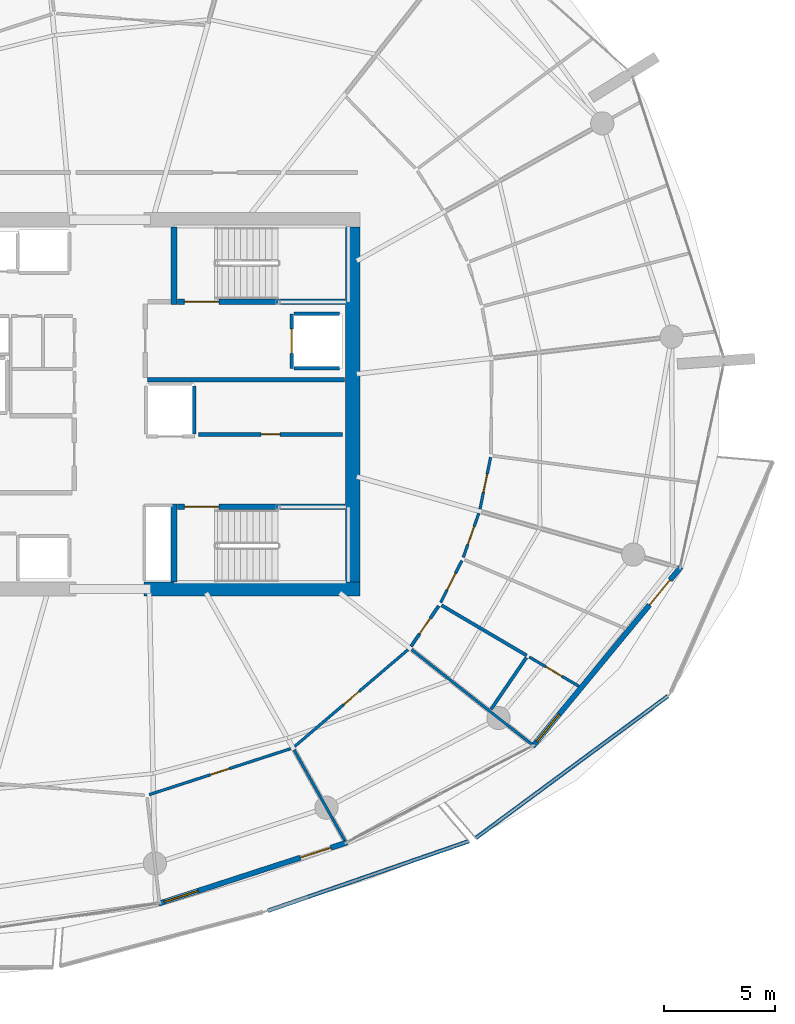
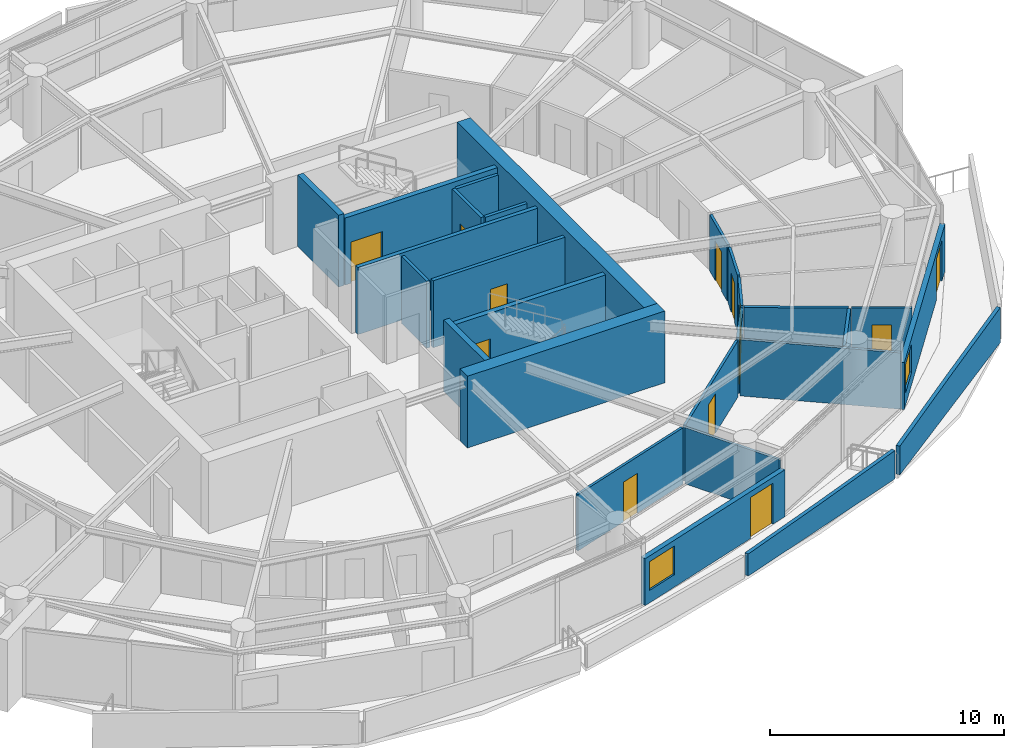
# One storey, part 13 of 20: 27 walls, 13 doors, 2 windows, 15 openings.
"""IFC4 building model written with IfcOpenShell, lengths in metres."""

import ifcopenshell
import ifcopenshell.guid

model = None  # the IFC model being written
_history = None  # IfcOwnerHistory: only IFC2X3 demands one
_inside = {}  # id of a spatial element -> (the spatial element, [elements in it])
_under = {}  # id of a project, library or spatial element -> (it, [spatial elements below it])
_declared = {}  # id of a project -> (the project, [libraries it declares])
_typed = {}  # id of a type object -> (the type object, [elements of that type])
_made_of = {}  # id of a material, layer set ... -> (it, [elements and type objects made of it])


def new_model(schema):
    """Start an empty IFC model of exactly this schema.

    Asked for "IFC4X3", IfcOpenShell would pick the latest addendum, in which some entities
    have other attributes; the version numbers below select the first issue.
    IFC2X3 requires an IfcOwnerHistory on every rooted entity: one is made here for all.
    """
    global model, _history
    if schema == "IFC4X3":
        model = ifcopenshell.file(schema_version=(4, 3, 0, 0))
    else:
        model = ifcopenshell.file(schema=schema)
    _inside.clear()
    _under.clear()
    _declared.clear()
    _typed.clear()
    _made_of.clear()
    _history = None
    if model.schema == "IFC2X3":
        org = make("IfcOrganization", Name="unknown")
        user = make(
            "IfcPersonAndOrganization",
            ThePerson=make("IfcPerson", FamilyName="unknown"),
            TheOrganization=org,
        )
        app = make(
            "IfcApplication",
            ApplicationDeveloper=org,
            Version="unknown",
            ApplicationFullName="unknown",
            ApplicationIdentifier="unknown",
        )
        _history = make(
            "IfcOwnerHistory",
            OwningUser=user,
            OwningApplication=app,
            ChangeAction="ADDED",
            CreationDate=0,
        )
    return model


def make(cls, **values):
    """One entity of the class cls with the attributes given. An attribute that is None is left unset."""
    return model.create_entity(
        cls, **{name: value for name, value in values.items() if value is not None}
    )


def rooted(cls, **values):
    """An entity with a GlobalId (a new one), such as an element, a storey or a relation."""
    return make(cls, GlobalId=ifcopenshell.guid.new(), OwnerHistory=_history, **values)


def si_unit(unit_type, name, prefix=None):
    """IfcSIUnit, for example si_unit("LENGTHUNIT", "METRE", prefix="MILLI")."""
    return make("IfcSIUnit", UnitType=unit_type, Prefix=prefix, Name=name)


def assignment(units):
    """IfcUnitAssignment: the units of a project."""
    return None if units is None else make("IfcUnitAssignment", Units=units)


def point(xyz):
    """IfcCartesianPoint."""
    return None if xyz is None else make("IfcCartesianPoint", Coordinates=xyz)


def direction(xyz):
    """IfcDirection."""
    return None if xyz is None else make("IfcDirection", DirectionRatios=xyz)


def frame(location, z_axis=None, x_axis=None):
    """IfcAxis2Placement3D, a coordinate frame: its origin and axes. An axis left out is left unset."""
    return make(
        "IfcAxis2Placement3D",
        Location=point(location),
        Axis=direction(z_axis),
        RefDirection=direction(x_axis),
    )


def frame_2d(location, x_axis=None):
    """IfcAxis2Placement2D, a coordinate frame in the plane: its origin and x axis."""
    return make(
        "IfcAxis2Placement2D", Location=point(location), RefDirection=direction(x_axis)
    )


def origin():
    """The frame at (0, 0, 0) with its axes left unset."""
    return frame((0.0, 0.0, 0.0))


def place(relative_to, where):
    """IfcLocalPlacement: puts the frame where relative to a parent placement (None: the world)."""
    return make(
        "IfcLocalPlacement", PlacementRelTo=relative_to, RelativePlacement=where
    )


def context(
    kind, dimensions, precision=None, world=None, true_north=None, identifier=None
):
    """IfcGeometricRepresentationContext, for example the 3D "Model" context."""
    return make(
        "IfcGeometricRepresentationContext",
        ContextIdentifier=identifier,
        ContextType=kind,
        CoordinateSpaceDimension=dimensions,
        Precision=precision,
        WorldCoordinateSystem=world,
        TrueNorth=true_north,
    )


def subcontext(parent, identifier, kind, view, scale=None):
    """IfcGeometricRepresentationSubContext, for example "Body" below "Model"."""
    return make(
        "IfcGeometricRepresentationSubContext",
        ContextIdentifier=identifier,
        ContextType=kind,
        ParentContext=parent,
        TargetScale=scale,
        TargetView=view,
    )


def project(units=None, contexts=None):
    """IfcProject with its units and contexts."""
    return rooted(
        "IfcProject",
        Name="project",
        RepresentationContexts=contexts,
        UnitsInContext=assignment(units),
    )


def spatial(cls, under=None, at=None, **own):
    """A site, building, storey or space (cls), placed at a placement, below another one or the project."""
    s = rooted(cls, ObjectPlacement=at, **own)
    if under is not None:
        _under.setdefault(under.id(), (under, []))[1].append(s)
    return s


def polyline(points):
    """IfcPolyline through the points."""
    return make("IfcPolyline", Points=[point(p) for p in points])


def profile(cls, at=None, kind="AREA", **sizes):
    """A parametric profile (cls). Its sizes go by their IFC names, for example OverallWidth=200.0."""
    return make(cls, ProfileType=kind, Position=at, **sizes)


def rectangle(**sizes):
    """IfcRectangleProfileDef."""
    return profile("IfcRectangleProfileDef", **sizes)


def outline(outer, holes=None, kind="AREA"):
    """IfcArbitraryClosedProfileDef: a profile drawn as a closed curve; with holes, ...WithVoids."""
    if holes is None:
        return make("IfcArbitraryClosedProfileDef", ProfileType=kind, OuterCurve=outer)
    return make(
        "IfcArbitraryProfileDefWithVoids",
        ProfileType=kind,
        OuterCurve=outer,
        InnerCurves=holes,
    )


def extrude(swept, where, along, depth):
    """IfcExtrudedAreaSolid: the profile swept, set in the frame where, extruded along a direction by depth."""
    return make(
        "IfcExtrudedAreaSolid",
        SweptArea=swept,
        Position=where,
        ExtrudedDirection=direction(along),
        Depth=depth,
    )


def shape(context_of_items, identifier, shape_type, items):
    """IfcShapeRepresentation: the items that make up one representation, for example the "Body"."""
    return make(
        "IfcShapeRepresentation",
        ContextOfItems=context_of_items,
        RepresentationIdentifier=identifier,
        RepresentationType=shape_type,
        Items=items,
    )


def material(Name=None, Category=None):
    """IfcMaterial."""
    return make("IfcMaterial", Name=Name, Category=Category)


def layer(
    of_material, thickness, ventilated=None, Name=None, Category=None, Priority=None
):
    """IfcMaterialLayer: one layer of a wall or slab, of a material (None: an air gap)."""
    return make(
        "IfcMaterialLayer",
        Material=of_material,
        LayerThickness=thickness,
        IsVentilated=ventilated,
        Name=Name,
        Category=Category,
        Priority=Priority,
    )


def layer_set(layers, Name=None):
    """IfcMaterialLayerSet."""
    return make("IfcMaterialLayerSet", MaterialLayers=layers, LayerSetName=Name)


def made_of(thing, what):
    """Note that an element or type object is made of a material, layer set ...; save() writes the relation."""
    if what is not None:
        _made_of.setdefault(what.id(), (what, []))[1].append(thing)
    return thing


def type_object(cls, material=None, **own):
    """A type object (cls), such as IfcWallType, which elements share."""
    return made_of(rooted(cls, **own), material)


def element(
    cls,
    number,
    at=None,
    inside=None,
    cuts=None,
    type_object=None,
    material=None,
    context=None,
    identifier="Body",
    shape_type=None,
    held_by="IfcProductDefinitionShape",
    body=None,
    shapes=None,
    **own,
):
    """One element of the class cls, such as IfcWall. Its Tag is "e" and its number.

    at: its placement. inside: the storey or other place that contains it. cuts: it is an
    opening in that element (IfcRelVoidsElement). A single representation is given by context,
    identifier, shape_type and body (its items); several are given by shapes. held_by: the class
    of the entity that holds the representations. save() writes the other relations.
    """
    e = rooted(cls, Tag="e%d" % number, ObjectPlacement=at, **own)
    if body is not None:
        shapes = [shape(context, identifier, shape_type, body)]
    if shapes is not None:
        e.Representation = make(held_by, Representations=shapes)
    if inside is not None:
        _inside.setdefault(inside.id(), (inside, []))[1].append(e)
    if cuts is not None:
        rooted(
            "IfcRelVoidsElement", RelatingBuildingElement=cuts, RelatedOpeningElement=e
        )
    if type_object is not None:
        _typed.setdefault(type_object.id(), (type_object, []))[1].append(e)
    return made_of(e, material)


def fill(opening, filler):
    """IfcRelFillsElement: the door or window that sits in an opening."""
    return rooted(
        "IfcRelFillsElement",
        RelatingOpeningElement=opening,
        RelatedBuildingElement=filler,
    )


def aggregate(whole, parts):
    """IfcRelAggregates: a whole, such as a stair, and the parts it consists of."""
    return rooted("IfcRelAggregates", RelatingObject=whole, RelatedObjects=parts)


def save(model, path):
    """Write the relations noted so far, then the file.

    IfcRelAggregates (storeys below a building ...), IfcRelContainedInSpatialStructure (elements
    in a storey), IfcRelDefinesByType, IfcRelAssociatesMaterial and IfcRelDeclares: one each for
    every whole, place, type object, material and project.
    """
    for whole, parts in _under.values():
        aggregate(whole, parts)
    for where, things in _inside.values():
        rooted(
            "IfcRelContainedInSpatialStructure",
            RelatedElements=things,
            RelatingStructure=where,
        )
    for kind, things in _typed.values():
        rooted("IfcRelDefinesByType", RelatedObjects=things, RelatingType=kind)
    for what, things in _made_of.values():
        rooted("IfcRelAssociatesMaterial", RelatedObjects=things, RelatingMaterial=what)
    for by, libraries in _declared.values():
        rooted("IfcRelDeclares", RelatingContext=by, RelatedDefinitions=libraries)
    model.write(path)


model = new_model("IFC4")

# Units and contexts
model_context = context("Model", 3, precision=1e-05, world=origin(), true_north=direction((0.0, 1.0)))
body_context = subcontext(model_context, "Body", "Model", "MODEL_VIEW")
ifc_project = project(units=[si_unit("LENGTHUNIT", "METRE"), si_unit("AREAUNIT", "SQUARE_METRE"), si_unit("VOLUMEUNIT", "CUBIC_METRE"), si_unit("PLANEANGLEUNIT", "RADIAN"), si_unit("MASSUNIT", "GRAM", prefix="KILO")], contexts=[model_context])

# Site, building, storey
site_placement = place(None, origin())
site = spatial("IfcSite", under=ifc_project, at=site_placement, CompositionType="ELEMENT")
building_placement = place(site_placement, origin())
building = spatial("IfcBuilding", under=site, at=building_placement, Name="Kazma Halo Residences", CompositionType="ELEMENT")
storey_placement = place(building_placement, frame((0.0, 0.0, 214.050048828125)))
storey = spatial("IfcBuildingStorey", under=building, at=storey_placement, Name="L54", CompositionType="ELEMENT", Elevation=214.050048828125)

# Walls
ifc_material_1 = material(Name="White Concrete C50/60 Balustrade", Category="concrete")
ifc_layer_1 = layer(ifc_material_1, 0.179931640625)
ifc_layer_set_1 = layer_set([ifc_layer_1], Name="White Concrete C50/60 Balustrade")
wall_type_1 = type_object("IfcWallType", Name="WL-BAL-WAVE-180", PredefinedType="PARAPET", material=ifc_layer_set_1)
wall_1_placement = place(storey_placement, frame((55.546630859375, 19.162353515625, 0.0), z_axis=(0.0, 0.0, 1.0), x_axis=(0.944943422405, 0.327233752007, 0.0)))
element("IfcWall", 1, at=wall_1_placement, inside=storey, type_object=wall_type_1, Name="L54 white wave balustrade wall SSE.2", PredefinedType="PARAPET", context=body_context, shape_type="SweptSolid", body=[
    extrude(outline(polyline([(0.0, 0.0), (9.597412109375, 0.0), (9.59765625, 1.48291015625), (4.798828125, 1.283935546875), (0.0, 1.14794921875), (0.0, 0.0)])), frame((0.0, 0.08984375, 0.0), z_axis=(0.0, -1.0, 0.0), x_axis=(1.0, 0.0, 0.0)), (0.0, 0.0, 1.0), 0.179931640625),
])
wall_2_placement = place(storey_placement, frame((64.914306640625, 22.439208984375, 0.0), z_axis=(0.0, 0.0, 1.0), x_axis=(0.804266043661, 0.594269409454, 0.0)))
element("IfcWall", 2, at=wall_2_placement, inside=storey, type_object=wall_type_1, Name="L54 white wave balustrade wall SE.1", PredefinedType="PARAPET", context=body_context, shape_type="SweptSolid", body=[
    extrude(outline(polyline([(0.0, 0.0), (10.7783203125, 0.0), (10.7783203125, 1.83203125), (5.38916015625, 1.696044921875), (0.0, 1.4970703125), (0.0, 0.0)])), frame((0.0, 0.08984375, 0.0), z_axis=(0.0, -1.0, 0.0), x_axis=(1.0, 0.0, 0.0)), (0.0, 0.0, 1.0), 0.179931640625),
])
ifc_material_2 = material(Name="Concrete C60/75", Category="concrete")
ifc_layer_2 = layer(ifc_material_2, 0.64990234375)
ifc_layer_set_2 = layer_set([ifc_layer_2], Name="Concrete C60/75")
wall_type_2 = type_object("IfcWallType", Name="WL-CORE-650", PredefinedType="SHEAR", material=ifc_layer_set_2)
wall_3_placement = place(storey_placement, frame((49.949951171875, 33.675048828125, 0.0), z_axis=(0.0, 0.0, 1.0), x_axis=(1.0, 0.0, 0.0)))
element("IfcWall", 3, at=wall_3_placement, inside=storey, type_object=wall_type_2, Name="L54 central core shear wall SE", PredefinedType="SHEAR", context=body_context, shape_type="SweptSolid", body=[
    extrude(rectangle(XDim=9.75, YDim=0.64990234375, at=frame_2d((4.875, 0.0))), origin(), (0.0, 0.0, 1.0), 3.75),
])
wall_4_placement = place(storey_placement, frame((59.375, 34.0, 0.0), z_axis=(0.0, 0.0, 1.0), x_axis=(0.0, 1.0, 0.0)))
element("IfcWall", 4, at=wall_4_placement, inside=storey, type_object=wall_type_2, Name="L54 central core shear wall E", PredefinedType="SHEAR", context=body_context, shape_type="SweptSolid", body=[
    extrude(rectangle(XDim=16.0, YDim=0.64990234375, at=frame_2d((8.0, 0.0))), origin(), (0.0, 0.0, 1.0), 3.75),
])
ifc_layer_3 = layer(ifc_material_2, 0.280029296875)
ifc_layer_set_3 = layer_set([ifc_layer_3], Name="Concrete C60/75")
wall_type_3 = type_object("IfcWallType", Name="WL-CORE-ST-280", PredefinedType="SHEAR", material=ifc_layer_set_3)
for number, where, z_axis, x_axis, name in (
    (5, (51.31005859375, 46.5, 0.0), (0.0, 0.0, 1.0), (0.0, 1.0, 0.0), "L54 stairwell bearing wall ST02-W"),
    (6, (51.31005859375, 34.0, 0.0), (0.0, 0.0, 1.0), (0.0, 1.0, 0.0), "L54 stairwell bearing wall ST03-W"),
):
    element("IfcWall", number, at=place(storey_placement, frame(where, z_axis=z_axis, x_axis=x_axis)), inside=storey, type_object=wall_type_3, Name=name, PredefinedType="SHEAR", context=body_context, shape_type="SweptSolid", body=[
        extrude(rectangle(XDim=3.5, YDim=0.280029296875, at=frame_2d((1.75, 0.0))), origin(), (0.0, 0.0, 1.0), 3.75),
    ])

# Wall, openings, door, window
ifc_material_3 = material(Name="Insulated Pale-Metal Composite Wall")
ifc_layer_4 = layer(ifc_material_3, 0.239990234375)
ifc_layer_set_4 = layer_set([ifc_layer_4], Name="Insulated Pale-Metal Composite Wall")
wall_type_4 = type_object("IfcWallType", Name="WL-EXT-HOST-240", PredefinedType="SOLIDWALL", material=ifc_layer_set_4)
wall_5_placement = place(storey_placement, frame((50.61572265625, 19.481201171875, 0.0), z_axis=(0.0, 0.0, 1.0), x_axis=(0.951058543936, 0.309010753869, 0.0)))
wall_5 = element("IfcWall", 7, at=wall_5_placement, inside=storey, type_object=wall_type_4, Name="L54 exterior terrace-access wall B12", PredefinedType="SOLIDWALL", context=body_context, shape_type="SweptSolid", body=[
    extrude(rectangle(XDim=8.942138671875, YDim=0.239990234375, at=frame_2d((4.47119140625, 0.0))), origin(), (0.0, 0.0, 1.0), 2.449951171875),
])
opening_1_placement = place(wall_5_placement, frame((6.721923828125, 0.0, 0.0)))
opening_1 = element("IfcOpeningElement", 8, at=opening_1_placement, cuts=wall_5, Name="Opening DTR-1600", PredefinedType="OPENING", context=body_context, shape_type="SweptSolid", body=[
    extrude(rectangle(XDim=1.449951171875, YDim=2.14990234375, at=frame_2d((0.72509765625, 1.074951171875))), frame((0.0, 0.1298828125, 0.0), z_axis=(0.0, -1.0, 0.0), x_axis=(1.0, 0.0, 0.0)), (0.0, 0.0, 1.0), 0.260009765625),
])
opening_2_placement = place(wall_5_placement, frame((0.280029296875, 0.0, 0.64990234375)))
opening_2 = element("IfcOpeningElement", 9, at=opening_2_placement, cuts=wall_5, Name="Opening W-1800", PredefinedType="OPENING", context=body_context, shape_type="SweptSolid", body=[
    extrude(rectangle(XDim=1.60009765625, YDim=1.5, at=frame_2d((0.800048828125, 0.75))), frame((0.0, 0.1298828125, 0.0), z_axis=(0.0, -1.0, 0.0), x_axis=(1.0, 0.0, 0.0)), (0.0, 0.0, 1.0), 0.260009765625),
])
ifc_material_4 = material(Name="Aluminium AW-6063 T6 Double-Glazed Terrace Door", Category="aluminium")
door_type_1 = type_object("IfcDoorType", Name="DR-EXT-TERR-1600", OperationType="NOTDEFINED", PredefinedType="DOOR", material=ifc_material_4)
door_1_placement = place(opening_1_placement, origin())
door_1 = element("IfcDoor", 10, at=door_1_placement, inside=storey, type_object=door_type_1, Name="L54 B12 balcony terrace door", OperationType="DOUBLE_DOOR_SLIDING", OverallHeight=2.14990234375, OverallWidth=1.449951171875, PredefinedType="DOOR", context=body_context, shape_type="SweptSolid", body=[
    extrude(rectangle(XDim=1.449951171875, YDim=2.14990234375, at=frame_2d((0.72509765625, 1.074951171875))), frame((0.0, 0.02490234375, 0.0), z_axis=(0.0, -1.0, 0.0), x_axis=(1.0, 0.0, 0.0)), (0.0, 0.0, 1.0), 0.050048828125),
])
fill(opening_1, door_1)
ifc_material_5 = material(Name="Clear Triple-Silver Low-E Glass in Aluminium AW-6063 T6 Frame", Category="aluminium")
window_type = type_object("IfcWindowType", Name="WIN-RES-1800", PartitioningType="DOUBLE_PANEL_VERTICAL", PredefinedType="WINDOW", material=ifc_material_5)
window_1_placement = place(opening_2_placement, origin())
window_1 = element("IfcWindow", 11, at=window_1_placement, inside=storey, type_object=window_type, Name="L54 B12 apartment window", OverallHeight=1.5, OverallWidth=1.60009765625, PartitioningType="SINGLE_PANEL", PredefinedType="WINDOW", context=body_context, shape_type="SweptSolid", body=[
    extrude(rectangle(XDim=1.60009765625, YDim=1.5, at=frame_2d((0.800048828125, 0.75))), frame((0.0, 0.030029296875, 0.0), z_axis=(0.0, -1.0, 0.0), x_axis=(1.0, 0.0, 0.0)), (0.0, 0.0, 1.0), 0.06005859375),
])
fill(opening_2, window_1)

wall_6_placement = place(storey_placement, frame((67.485107421875, 26.57568359375, 0.0), z_axis=(0.0, 0.0, 1.0), x_axis=(0.636759394418, 0.771062561418, 0.0)))
wall_6 = element("IfcWall", 12, at=wall_6_placement, inside=storey, type_object=wall_type_4, Name="L54 exterior terrace-access wall B14", PredefinedType="SOLIDWALL", context=body_context, shape_type="SweptSolid", body=[
    extrude(rectangle(XDim=10.494384765625, YDim=0.239990234375, at=frame_2d((5.2470703125, 0.0))), origin(), (0.0, 0.0, 1.0), 2.449951171875),
])
opening_3_placement = place(wall_6_placement, frame((8.2744140625, 0.0, 0.0)))
opening_3 = element("IfcOpeningElement", 13, at=opening_3_placement, cuts=wall_6, Name="Opening DTR-1600", PredefinedType="OPENING", context=body_context, shape_type="SweptSolid", body=[
    extrude(rectangle(XDim=1.449951171875, YDim=2.14990234375, at=frame_2d((0.72509765625, 1.074951171875))), frame((0.0, 0.1298828125, 0.0), z_axis=(0.0, -1.0, 0.0), x_axis=(1.0, 0.0, 0.0)), (0.0, 0.0, 1.0), 0.260009765625),
])
opening_4_placement = place(wall_6_placement, frame((0.280029296875, 0.0, 0.64990234375)))
opening_4 = element("IfcOpeningElement", 14, at=opening_4_placement, cuts=wall_6, Name="Opening W-1800", PredefinedType="OPENING", context=body_context, shape_type="SweptSolid", body=[
    extrude(rectangle(XDim=1.60009765625, YDim=1.5, at=frame_2d((0.800048828125, 0.75))), frame((0.0, 0.1298828125, 0.0), z_axis=(0.0, -1.0, 0.0), x_axis=(1.0, 0.0, 0.0)), (0.0, 0.0, 1.0), 0.260009765625),
])
door_2_placement = place(opening_3_placement, origin())
door_2 = element("IfcDoor", 15, at=door_2_placement, inside=storey, type_object=door_type_1, Name="L54 B14 balcony terrace door", OperationType="DOUBLE_DOOR_SLIDING", OverallHeight=2.14990234375, OverallWidth=1.449951171875, PredefinedType="DOOR", context=body_context, shape_type="SweptSolid", body=[
    extrude(rectangle(XDim=1.449951171875, YDim=2.14990234375, at=frame_2d((0.72509765625, 1.074951171875))), frame((0.0, 0.02490234375, 0.0), z_axis=(0.0, -1.0, 0.0), x_axis=(1.0, 0.0, 0.0)), (0.0, 0.0, 1.0), 0.050048828125),
])
fill(opening_3, door_2)
window_2_placement = place(opening_4_placement, origin())
window_2 = element("IfcWindow", 16, at=window_2_placement, inside=storey, type_object=window_type, Name="L54 B14 apartment window", OverallHeight=1.5, OverallWidth=1.60009765625, PartitioningType="SINGLE_PANEL", PredefinedType="WINDOW", context=body_context, shape_type="SweptSolid", body=[
    extrude(rectangle(XDim=1.60009765625, YDim=1.5, at=frame_2d((0.800048828125, 0.75))), frame((0.0, 0.030029296875, 0.0), z_axis=(0.0, -1.0, 0.0), x_axis=(1.0, 0.0, 0.0)), (0.0, 0.0, 1.0), 0.06005859375),
])
fill(opening_4, window_2)

# Wall, opening, door
ifc_material_6 = material(Name="Fire-Rated Blockwork Masonry", Category="masonry")
ifc_layer_5 = layer(ifc_material_6, 0.199951171875)
ifc_layer_set_5 = layer_set([ifc_layer_5], Name="Fire-Rated Blockwork Masonry")
wall_type_5 = type_object("IfcWallType", Name="WL-FLB-200", PredefinedType="PARTITIONING", material=ifc_layer_set_5)
wall_7_placement = place(storey_placement, frame((56.6201171875, 46.080078125, 0.0), z_axis=(0.0, 0.0, 1.0), x_axis=(0.0, -1.0, 0.0)))
wall_7 = element("IfcWall", 17, at=wall_7_placement, inside=storey, type_object=wall_type_5, Name="L54 lift shaft FL-02 front wall", PredefinedType="PARTITIONING", context=body_context, shape_type="SweptSolid", body=[
    extrude(rectangle(XDim=2.4599609375, YDim=0.159912109375, at=frame_2d((1.22998046875, 0.0))), origin(), (0.0, 0.0, 1.0), 3.5),
])
opening_5_placement = place(wall_7_placement, frame((0.679931640625, 0.0, 0.0)))
opening_5 = element("IfcOpeningElement", 18, at=opening_5_placement, cuts=wall_7, Name="Opening LD-FL-02", PredefinedType="OPENING", context=body_context, shape_type="SweptSolid", body=[
    extrude(rectangle(XDim=1.10009765625, YDim=2.10009765625, at=frame_2d((0.550048828125, 1.050048828125))), frame((0.0, 0.08984375, 0.0), z_axis=(0.0, -1.0, 0.0), x_axis=(1.0, 0.0, 0.0)), (0.0, 0.0, 1.0), 0.179931640625),
])
ifc_material_7 = material(Name="Stainless Steel Fire-Rated", Category="steel")
door_type_2 = type_object("IfcDoorType", Name="DR-LIFT-SLD-1100", OperationType="DOUBLE_DOOR_SLIDING", PredefinedType="DOOR", material=ifc_material_7)
door_3_placement = place(opening_5_placement, origin())
door_3 = element("IfcDoor", 19, at=door_3_placement, inside=storey, type_object=door_type_2, Name="L54 lift FL-02 sliding landing door", OperationType="DOUBLE_DOOR_SLIDING", OverallHeight=2.10009765625, OverallWidth=1.10009765625, PredefinedType="DOOR", context=body_context, shape_type="SweptSolid", body=[
    extrude(rectangle(XDim=1.10009765625, YDim=2.10009765625, at=frame_2d((0.550048828125, 1.050048828125))), frame((0.0, 0.02490234375, 0.0), z_axis=(0.0, -1.0, 0.0), x_axis=(1.0, 0.0, 0.0)), (0.0, 0.0, 1.0), 0.050048828125),
])
fill(opening_5, door_3)

# Walls
for number, where, z_axis, x_axis, name in (
    (20, (56.719970703125, 46.080078125, 0.0), (0.0, 0.0, 1.0), (1.0, 0.0, 0.0), "L54 lift shaft FL-02 side wall N"),
    (21, (56.719970703125, 43.6201171875, 0.0), (0.0, 0.0, 1.0), (1.0, 0.0, 0.0), "L54 lift shaft FL-02 side wall S"),
):
    element("IfcWall", number, at=place(storey_placement, frame(where, z_axis=z_axis, x_axis=x_axis)), inside=storey, type_object=wall_type_5, Name=name, PredefinedType="PARTITIONING", context=body_context, shape_type="SweptSolid", body=[
        extrude(rectangle(XDim=2.06005859375, YDim=0.159912109375, at=frame_2d((1.030029296875, 0.0))), origin(), (0.0, 0.0, 1.0), 3.5),
    ])
wall_8_placement = place(storey_placement, frame((52.22998046875, 40.669921875, 0.0), z_axis=(0.0, 0.0, 1.0), x_axis=(0.0, 1.0, 0.0)))
element("IfcWall", 22, at=wall_8_placement, inside=storey, type_object=wall_type_5, Name="L54 lift shaft SV-01 side wall E", PredefinedType="PARTITIONING", context=body_context, shape_type="SweptSolid", body=[
    extrude(rectangle(XDim=2.16015625, YDim=0.159912109375, at=frame_2d((1.080078125, 0.0))), origin(), (0.0, 0.0, 1.0), 3.5),
])

# Wall, opening, door
wall_9_placement = place(storey_placement, frame((52.419921875, 40.64990234375, 0.0), z_axis=(0.0, 0.0, 1.0), x_axis=(1.0, 0.0, 0.0)))
wall_9 = element("IfcWall", 23, at=wall_9_placement, inside=storey, type_object=wall_type_5, Name="L54 core east reserve wall", PredefinedType="PARTITIONING", context=body_context, shape_type="SweptSolid", body=[
    extrude(rectangle(XDim=6.5, YDim=0.179931640625, at=frame_2d((3.25, 0.0))), origin(), (0.0, 0.0, 1.0), 3.5),
])
opening_6_placement = place(wall_9_placement, frame((2.824951171875, 0.0, 0.0)))
opening_6 = element("IfcOpeningElement", 24, at=opening_6_placement, cuts=wall_9, Name="Opening DS-850", PredefinedType="OPENING", context=body_context, shape_type="SweptSolid", body=[
    extrude(rectangle(XDim=0.85009765625, YDim=2.06005859375, at=frame_2d((0.425048828125, 1.030029296875))), frame((0.0, 0.099853515625, 0.0), z_axis=(0.0, -1.0, 0.0), x_axis=(1.0, 0.0, 0.0)), (0.0, 0.0, 1.0), 0.199951171875),
])
ifc_material_8 = material(Name="Painted Steel Access Leaf", Category="steel")
door_type_3 = type_object("IfcDoorType", Name="DR-SVC-850", OperationType="NOTDEFINED", PredefinedType="DOOR", material=ifc_material_8)
door_4_placement = place(opening_6_placement, origin())
door_4 = element("IfcDoor", 25, at=door_4_placement, inside=storey, type_object=door_type_3, Name="L54 core east reserve door", OperationType="SINGLE_SWING_LEFT", OverallHeight=2.06005859375, OverallWidth=0.85009765625, PredefinedType="DOOR", context=body_context, shape_type="SweptSolid", body=[
    extrude(rectangle(XDim=0.85009765625, YDim=2.06005859375, at=frame_2d((0.425048828125, 1.030029296875))), frame((0.0, 0.02490234375, 0.0), z_axis=(0.0, -1.0, 0.0), x_axis=(1.0, 0.0, 0.0)), (0.0, 0.0, 1.0), 0.050048828125),
])
fill(opening_6, door_4)

# Wall
wall_10_placement = place(storey_placement, frame((50.1201171875, 43.1201171875, 0.0), z_axis=(0.0, 0.0, 1.0), x_axis=(1.0, 0.0, 0.0)))
element("IfcWall", 26, at=wall_10_placement, inside=storey, type_object=wall_type_5, Name="L54 east firefighting lobby south smoke wall", PredefinedType="PARTITIONING", context=body_context, shape_type="SweptSolid", body=[
    extrude(rectangle(XDim=8.8798828125, YDim=0.199951171875, at=frame_2d((4.43994140625, 0.0))), origin(), (0.0, 0.0, 1.0), 3.5),
])

# Wall, opening, door
ifc_material_9 = material(Name="Gypsum Plasterboard Partition")
ifc_layer_6 = layer(ifc_material_9, 0.125)
ifc_layer_set_6 = layer_set([ifc_layer_6], Name="Gypsum Plasterboard Partition")
wall_type_6 = type_object("IfcWallType", Name="WL-PART-125", PredefinedType="PARTITIONING", material=ifc_layer_set_6)
wall_11_placement = place(storey_placement, frame((50.191650390625, 24.400146484375, 0.0), z_axis=(0.0, 0.0, 1.0), x_axis=(0.951057868445, 0.309012832854, 0.0)))
wall_11 = element("IfcWall", 27, at=wall_11_placement, inside=storey, type_object=wall_type_6, Name="L54 Apartment 2 West Master Bedroom gallery wall", PredefinedType="PARTITIONING", context=body_context, shape_type="SweptSolid", body=[
    extrude(rectangle(XDim=6.70849609375, YDim=0.125, at=frame_2d((3.354248046875, 0.0))), origin(), (0.0, 0.0, 1.0), 2.93994140625),
])
opening_7_placement = place(wall_11_placement, frame((2.904296875, 0.0, 0.0)))
opening_7 = element("IfcOpeningElement", 28, at=opening_7_placement, cuts=wall_11, Name="Opening DI-950", PredefinedType="OPENING", context=body_context, shape_type="SweptSolid", body=[
    extrude(rectangle(XDim=0.89990234375, YDim=2.080078125, at=frame_2d((0.449951171875, 1.0400390625))), frame((0.0, 0.072509765625, 0.0), z_axis=(0.0, -1.0, 0.0), x_axis=(1.0, 0.0, 0.0)), (0.0, 0.0, 1.0), 0.14501953125),
])
ifc_material_10 = material(Name="Timber Veneer Flush Leaf", Category="wood")
door_type_4 = type_object("IfcDoorType", Name="DR-INT-950", OperationType="NOTDEFINED", PredefinedType="DOOR", material=ifc_material_10)
door_5_placement = place(opening_7_placement, origin())
door_5 = element("IfcDoor", 29, at=door_5_placement, inside=storey, type_object=door_type_4, Name="L54 Apartment 2 West Master Bedroom door", OperationType="SINGLE_SWING_RIGHT", OverallHeight=2.080078125, OverallWidth=0.89990234375, PredefinedType="DOOR", context=body_context, shape_type="SweptSolid", body=[
    extrude(rectangle(XDim=0.89990234375, YDim=2.080078125, at=frame_2d((0.449951171875, 1.0400390625))), frame((0.0, 0.02490234375, 0.0), z_axis=(0.0, -1.0, 0.0), x_axis=(1.0, 0.0, 0.0)), (0.0, 0.0, 1.0), 0.050048828125),
])
fill(opening_7, door_5)

# Wall
wall_12_placement = place(storey_placement, frame((56.725341796875, 26.419921875, 0.0), z_axis=(0.0, 0.0, 1.0), x_axis=(0.488595423778, -0.872510465189, 0.0)))
element("IfcWall", 30, at=wall_12_placement, inside=storey, type_object=wall_type_6, Name="L54 Apartment 2 radial partition 12", PredefinedType="PARTITIONING", context=body_context, shape_type="SweptSolid", body=[
    extrude(rectangle(XDim=4.678466796875, YDim=0.125, at=frame_2d((2.33935546875, 0.0))), origin(), (0.0, 0.0, 1.0), 2.93994140625),
])

# Wall, opening, door
wall_13_placement = place(storey_placement, frame((56.760009765625, 26.57861328125, 0.0), z_axis=(0.0, 0.0, 1.0), x_axis=(0.760424223761, 0.649426670161, 0.0)))
wall_13 = element("IfcWall", 31, at=wall_13_placement, inside=storey, type_object=wall_type_6, Name="L54 Apartment 2 North Formal Dining Room gallery wall", PredefinedType="PARTITIONING", context=body_context, shape_type="SweptSolid", body=[
    extrude(rectangle(XDim=6.70849609375, YDim=0.125, at=frame_2d((3.354248046875, 0.0))), origin(), (0.0, 0.0, 1.0), 2.93994140625),
])
opening_8_placement = place(wall_13_placement, frame((2.904296875, 0.0, 0.0)))
opening_8 = element("IfcOpeningElement", 32, at=opening_8_placement, cuts=wall_13, Name="Opening DI-950", PredefinedType="OPENING", context=body_context, shape_type="SweptSolid", body=[
    extrude(rectangle(XDim=0.89990234375, YDim=2.080078125, at=frame_2d((0.449951171875, 1.0400390625))), frame((0.0, 0.072509765625, 0.0), z_axis=(0.0, -1.0, 0.0), x_axis=(1.0, 0.0, 0.0)), (0.0, 0.0, 1.0), 0.14501953125),
])
door_6_placement = place(opening_8_placement, origin())
door_6 = element("IfcDoor", 33, at=door_6_placement, inside=storey, type_object=door_type_4, Name="L54 Apartment 2 North Formal Dining Room door", OperationType="SINGLE_SWING_LEFT", OverallHeight=2.080078125, OverallWidth=0.89990234375, PredefinedType="DOOR", context=body_context, shape_type="SweptSolid", body=[
    extrude(rectangle(XDim=0.89990234375, YDim=2.080078125, at=frame_2d((0.449951171875, 1.0400390625))), frame((0.0, 0.02490234375, 0.0), z_axis=(0.0, -1.0, 0.0), x_axis=(1.0, 0.0, 0.0)), (0.0, 0.0, 1.0), 0.050048828125),
])
fill(opening_8, door_6)

# Wall
wall_14_placement = place(storey_placement, frame((62.0234375, 30.94482421875, 0.0), z_axis=(0.0, 0.0, 1.0), x_axis=(0.785321889756, -0.619087658955, 0.0)))
element("IfcWall", 34, at=wall_14_placement, inside=storey, type_object=wall_type_6, Name="L54 Apartment 2 radial partition 13", PredefinedType="PARTITIONING", context=body_context, shape_type="SweptSolid", body=[
    extrude(rectangle(XDim=6.97021484375, YDim=0.125, at=frame_2d((3.485107421875, 0.0))), origin(), (0.0, 0.0, 1.0), 2.93994140625),
])

# Wall, opening, door
wall_15_placement = place(storey_placement, frame((67.330322265625, 30.60888671875, 0.0), z_axis=(0.0, 0.0, 1.0), x_axis=(0.861581059631, -0.507620013085, 0.0)))
wall_15 = element("IfcWall", 35, at=wall_15_placement, inside=storey, type_object=wall_type_6, Name="L54 Apartment 2 Inner Walk-In Wardrobe partition wall", PredefinedType="PARTITIONING", context=body_context, shape_type="SweptSolid", body=[
    extrude(rectangle(XDim=2.59619140625, YDim=0.125, at=frame_2d((1.298095703125, 0.0))), origin(), (0.0, 0.0, 1.0), 2.93994140625),
])
opening_9_placement = place(wall_15_placement, frame((0.873291015625, 0.0, 0.0)))
opening_9 = element("IfcOpeningElement", 36, at=opening_9_placement, cuts=wall_15, Name="Opening DB-900", PredefinedType="OPENING", context=body_context, shape_type="SweptSolid", body=[
    extrude(rectangle(XDim=0.85009765625, YDim=2.06005859375, at=frame_2d((0.425048828125, 1.030029296875))), frame((0.0, 0.072509765625, 0.0), z_axis=(0.0, -1.0, 0.0), x_axis=(1.0, 0.0, 0.0)), (0.0, 0.0, 1.0), 0.14501953125),
])
ifc_material_11 = material(Name="Moisture-Sealed Timber Leaf", Category="wood")
door_type_5 = type_object("IfcDoorType", Name="DR-BTH-900", OperationType="NOTDEFINED", PredefinedType="DOOR", material=ifc_material_11)
door_7_placement = place(opening_9_placement, origin())
door_7 = element("IfcDoor", 37, at=door_7_placement, inside=storey, type_object=door_type_5, Name="L54 Apartment 2 Inner Walk-In Wardrobe door", OperationType="SINGLE_SWING_LEFT", OverallHeight=2.06005859375, OverallWidth=0.85009765625, PredefinedType="DOOR", context=body_context, shape_type="SweptSolid", body=[
    extrude(rectangle(XDim=0.85009765625, YDim=2.06005859375, at=frame_2d((0.425048828125, 1.030029296875))), frame((0.0, 0.02490234375, 0.0), z_axis=(0.0, -1.0, 0.0), x_axis=(1.0, 0.0, 0.0)), (0.0, 0.0, 1.0), 0.050048828125),
])
fill(opening_9, door_7)

wall_16_placement = place(storey_placement, frame((63.339111328125, 33.065185546875, 0.0), z_axis=(0.0, 0.0, 1.0), x_axis=(0.451086731402, 0.892480117847, 0.0)))
wall_16 = element("IfcWall", 38, at=wall_16_placement, inside=storey, type_object=wall_type_6, Name="L54 Apartment 2 Outer Private Study hall wall", PredefinedType="PARTITIONING", context=body_context, shape_type="SweptSolid", body=[
    extrude(rectangle(XDim=2.11572265625, YDim=0.125, at=frame_2d((1.057861328125, 0.0))), origin(), (0.0, 0.0, 1.0), 2.93994140625),
])
opening_10_placement = place(wall_16_placement, frame((0.6328125, 0.0, 0.0)))
opening_10 = element("IfcOpeningElement", 39, at=opening_10_placement, cuts=wall_16, Name="Opening DB-900", PredefinedType="OPENING", context=body_context, shape_type="SweptSolid", body=[
    extrude(rectangle(XDim=0.85009765625, YDim=2.06005859375, at=frame_2d((0.425048828125, 1.030029296875))), frame((0.0, 0.072509765625, 0.0), z_axis=(0.0, -1.0, 0.0), x_axis=(1.0, 0.0, 0.0)), (0.0, 0.0, 1.0), 0.14501953125),
])
door_8_placement = place(opening_10_placement, origin())
door_8 = element("IfcDoor", 40, at=door_8_placement, inside=storey, type_object=door_type_5, Name="L54 Apartment 2 Outer Private Study door", OperationType="SINGLE_SWING_RIGHT", OverallHeight=2.06005859375, OverallWidth=0.85009765625, PredefinedType="DOOR", context=body_context, shape_type="SweptSolid", body=[
    extrude(rectangle(XDim=0.85009765625, YDim=2.06005859375, at=frame_2d((0.425048828125, 1.030029296875))), frame((0.0, 0.02490234375, 0.0), z_axis=(0.0, -1.0, 0.0), x_axis=(1.0, 0.0, 0.0)), (0.0, 0.0, 1.0), 0.050048828125),
])
fill(opening_10, door_8)

wall_17_placement = place(storey_placement, frame((64.356201171875, 35.10009765625, 0.0), z_axis=(0.0, 0.0, 1.0), x_axis=(0.332771597394, 0.943007457005, 0.0)))
wall_17 = element("IfcWall", 41, at=wall_17_placement, inside=storey, type_object=wall_type_6, Name="L54 Apartment 2 Corner Master Bedroom hall wall", PredefinedType="PARTITIONING", context=body_context, shape_type="SweptSolid", body=[
    extrude(rectangle(XDim=2.105712890625, YDim=0.125, at=frame_2d((1.052734375, 0.0))), origin(), (0.0, 0.0, 1.0), 2.93994140625),
])
opening_11_placement = place(wall_17_placement, frame((0.627685546875, 0.0, 0.0)))
opening_11 = element("IfcOpeningElement", 42, at=opening_11_placement, cuts=wall_17, Name="Opening DB-900", PredefinedType="OPENING", context=body_context, shape_type="SweptSolid", body=[
    extrude(rectangle(XDim=0.85009765625, YDim=2.06005859375, at=frame_2d((0.425048828125, 1.030029296875))), frame((0.0, 0.072509765625, 0.0), z_axis=(0.0, -1.0, 0.0), x_axis=(1.0, 0.0, 0.0)), (0.0, 0.0, 1.0), 0.14501953125),
])
door_9_placement = place(opening_11_placement, origin())
door_9 = element("IfcDoor", 43, at=door_9_placement, inside=storey, type_object=door_type_5, Name="L54 Apartment 2 Corner Master Bedroom door", OperationType="SINGLE_SWING_LEFT", OverallHeight=2.06005859375, OverallWidth=0.85009765625, PredefinedType="DOOR", context=body_context, shape_type="SweptSolid", body=[
    extrude(rectangle(XDim=0.85009765625, YDim=2.06005859375, at=frame_2d((0.425048828125, 1.030029296875))), frame((0.0, 0.02490234375, 0.0), z_axis=(0.0, -1.0, 0.0), x_axis=(1.0, 0.0, 0.0)), (0.0, 0.0, 1.0), 0.050048828125),
])
fill(opening_11, door_9)

wall_18_placement = place(storey_placement, frame((65.1103515625, 37.278076171875, 0.0), z_axis=(0.0, 0.0, 1.0), x_axis=(0.201254105791, 0.979539067573, 0.0)))
wall_18 = element("IfcWall", 44, at=wall_18_placement, inside=storey, type_object=wall_type_6, Name="L54 Apartment 2 Garden Wine Pantry Store hall wall", PredefinedType="PARTITIONING", context=body_context, shape_type="SweptSolid", body=[
    extrude(rectangle(XDim=2.3837890625, YDim=0.125, at=frame_2d((1.19189453125, 0.0))), origin(), (0.0, 0.0, 1.0), 2.93994140625),
])
opening_12_placement = place(wall_18_placement, frame((0.766845703125, 0.0, 0.0)))
opening_12 = element("IfcOpeningElement", 45, at=opening_12_placement, cuts=wall_18, Name="Opening DB-900", PredefinedType="OPENING", context=body_context, shape_type="SweptSolid", body=[
    extrude(rectangle(XDim=0.85009765625, YDim=2.06005859375, at=frame_2d((0.425048828125, 1.030029296875))), frame((0.0, 0.072509765625, 0.0), z_axis=(0.0, -1.0, 0.0), x_axis=(1.0, 0.0, 0.0)), (0.0, 0.0, 1.0), 0.14501953125),
])
door_10_placement = place(opening_12_placement, origin())
door_10 = element("IfcDoor", 46, at=door_10_placement, inside=storey, type_object=door_type_5, Name="L54 Apartment 2 Garden Wine Pantry Store door", OperationType="SINGLE_SWING_LEFT", OverallHeight=2.06005859375, OverallWidth=0.85009765625, PredefinedType="DOOR", context=body_context, shape_type="SweptSolid", body=[
    extrude(rectangle(XDim=0.85009765625, YDim=2.06005859375, at=frame_2d((0.425048828125, 1.030029296875))), frame((0.0, 0.02490234375, 0.0), z_axis=(0.0, -1.0, 0.0), x_axis=(1.0, 0.0, 0.0)), (0.0, 0.0, 1.0), 0.050048828125),
])
fill(opening_12, door_10)

ifc_material_12 = material(Name="Concrete C50/60", Category="concrete")
ifc_layer_7 = layer(ifc_material_12, 0.25)
ifc_layer_set_7 = layer_set([ifc_layer_7], Name="Concrete C50/60")
wall_type_7 = type_object("IfcWallType", Name="WL-SHF-250", PredefinedType="SOLIDWALL", material=ifc_layer_set_7)
wall_19_placement = place(storey_placement, frame((51.47998046875, 46.6201171875, 0.0), z_axis=(0.0, 0.0, 1.0), x_axis=(1.0, 0.0, 0.0)))
wall_19 = element("IfcWall", 47, at=wall_19_placement, inside=storey, type_object=wall_type_7, Name="L54 exit stair ST-02 enclosure wall", PredefinedType="SOLIDWALL", context=body_context, shape_type="SweptSolid", body=[
    extrude(rectangle(XDim=7.5400390625, YDim=0.25, at=frame_2d((3.77001953125, 0.0))), origin(), (0.0, 0.0, 1.0), 3.5),
])
opening_13_placement = place(wall_19_placement, frame((0.300048828125, 0.0, 0.0)))
opening_13 = element("IfcOpeningElement", 48, at=opening_13_placement, cuts=wall_19, Name="Opening D-ST2", PredefinedType="OPENING", context=body_context, shape_type="SweptSolid", body=[
    extrude(rectangle(XDim=1.550048828125, YDim=2.14990234375, at=frame_2d((0.77490234375, 1.074951171875))), frame((0.0, 0.135009765625, 0.0), z_axis=(0.0, -1.0, 0.0), x_axis=(1.0, 0.0, 0.0)), (0.0, 0.0, 1.0), 0.27001953125),
])
ifc_material_13 = material(Name="Fire-Rated Double Steel Leaf", Category="steel")
door_type_6 = type_object("IfcDoorType", Name="DR-FD90-1550", OperationType="NOTDEFINED", PredefinedType="DOOR", material=ifc_material_13)
door_11_placement = place(opening_13_placement, origin())
door_11 = element("IfcDoor", 49, at=door_11_placement, inside=storey, type_object=door_type_6, Name="L54 exit stair ST-02 fire door", OperationType="DOUBLE_DOOR_SINGLE_SWING", OverallHeight=2.14990234375, OverallWidth=1.550048828125, PredefinedType="DOOR", context=body_context, shape_type="SweptSolid", body=[
    extrude(rectangle(XDim=1.550048828125, YDim=2.14990234375, at=frame_2d((0.77490234375, 1.074951171875))), frame((0.0, 0.02490234375, 0.0), z_axis=(0.0, -1.0, 0.0), x_axis=(1.0, 0.0, 0.0)), (0.0, 0.0, 1.0), 0.050048828125),
])
fill(opening_13, door_11)

wall_20_placement = place(storey_placement, frame((51.47998046875, 37.3798828125, 0.0), z_axis=(0.0, 0.0, 1.0), x_axis=(1.0, 0.0, 0.0)))
wall_20 = element("IfcWall", 50, at=wall_20_placement, inside=storey, type_object=wall_type_7, Name="L54 exit stair ST-03 enclosure wall", PredefinedType="SOLIDWALL", context=body_context, shape_type="SweptSolid", body=[
    extrude(rectangle(XDim=7.5400390625, YDim=0.25, at=frame_2d((3.77001953125, 0.0))), origin(), (0.0, 0.0, 1.0), 3.5),
])
opening_14_placement = place(wall_20_placement, frame((0.300048828125, 0.0, 0.0)))
opening_14 = element("IfcOpeningElement", 51, at=opening_14_placement, cuts=wall_20, Name="Opening D-ST3", PredefinedType="OPENING", context=body_context, shape_type="SweptSolid", body=[
    extrude(rectangle(XDim=1.550048828125, YDim=2.14990234375, at=frame_2d((0.77490234375, 1.074951171875))), frame((0.0, 0.135009765625, 0.0), z_axis=(0.0, -1.0, 0.0), x_axis=(1.0, 0.0, 0.0)), (0.0, 0.0, 1.0), 0.27001953125),
])
door_12_placement = place(opening_14_placement, origin())
door_12 = element("IfcDoor", 52, at=door_12_placement, inside=storey, type_object=door_type_6, Name="L54 exit stair ST-03 fire door", OperationType="DOUBLE_DOOR_SINGLE_SWING", OverallHeight=2.14990234375, OverallWidth=1.550048828125, PredefinedType="DOOR", context=body_context, shape_type="SweptSolid", body=[
    extrude(rectangle(XDim=1.550048828125, YDim=2.14990234375, at=frame_2d((0.77490234375, 1.074951171875))), frame((0.0, 0.02490234375, 0.0), z_axis=(0.0, -1.0, 0.0), x_axis=(1.0, 0.0, 0.0)), (0.0, 0.0, 1.0), 0.050048828125),
])
fill(opening_14, door_12)

ifc_material_14 = material(Name="Moisture-Resistant Gypsum")
ifc_layer_8 = layer(ifc_material_14, 0.14990234375)
ifc_layer_set_8 = layer_set([ifc_layer_8], Name="Moisture-Resistant Gypsum")
wall_type_8 = type_object("IfcWallType", Name="WL-WET-150", PredefinedType="PARTITIONING", material=ifc_layer_set_8)
wall_21_placement = place(storey_placement, frame((62.00146484375, 31.089111328125, 0.0), z_axis=(0.0, 0.0, 1.0), x_axis=(0.564616496688, 0.825353385931, 0.0)))
wall_21 = element("IfcWall", 53, at=wall_21_placement, inside=storey, type_object=wall_type_8, Name="L54 Apartment 2 South En-Suite Bathroom hall wall", PredefinedType="PARTITIONING", context=body_context, shape_type="SweptSolid", body=[
    extrude(rectangle(XDim=2.20703125, YDim=0.14990234375, at=frame_2d((1.103515625, 0.0))), origin(), (0.0, 0.0, 1.0), 2.93994140625),
])
opening_15_placement = place(wall_21_placement, frame((0.678466796875, 0.0, 0.0)))
opening_15 = element("IfcOpeningElement", 54, at=opening_15_placement, cuts=wall_21, Name="Opening DB-900", PredefinedType="OPENING", context=body_context, shape_type="SweptSolid", body=[
    extrude(rectangle(XDim=0.85009765625, YDim=2.06005859375, at=frame_2d((0.425048828125, 1.030029296875))), frame((0.0, 0.0849609375, 0.0), z_axis=(0.0, -1.0, 0.0), x_axis=(1.0, 0.0, 0.0)), (0.0, 0.0, 1.0), 0.169921875),
])
door_13_placement = place(opening_15_placement, origin())
door_13 = element("IfcDoor", 55, at=door_13_placement, inside=storey, type_object=door_type_5, Name="L54 Apartment 2 South En-Suite Bathroom door", OperationType="SINGLE_SWING_RIGHT", OverallHeight=2.06005859375, OverallWidth=0.85009765625, PredefinedType="DOOR", context=body_context, shape_type="SweptSolid", body=[
    extrude(rectangle(XDim=0.85009765625, YDim=2.06005859375, at=frame_2d((0.425048828125, 1.030029296875))), frame((0.0, 0.02490234375, 0.0), z_axis=(0.0, -1.0, 0.0), x_axis=(1.0, 0.0, 0.0)), (0.0, 0.0, 1.0), 0.050048828125),
])
fill(opening_15, door_13)

# Walls
wall_22_placement = place(storey_placement, frame((65.60595703125, 28.24755859375, 0.0), z_axis=(0.0, 0.0, 1.0), x_axis=(0.564646756592, 0.825332684601, 0.0)))
element("IfcWall", 56, at=wall_22_placement, inside=storey, type_object=wall_type_8, Name="L54 Apartment 2 South En-Suite Bathroom back wall", PredefinedType="PARTITIONING", context=body_context, shape_type="SweptSolid", body=[
    extrude(rectangle(XDim=2.826416015625, YDim=0.14990234375, at=frame_2d((1.4130859375, 0.0))), origin(), (0.0, 0.0, 1.0), 2.93994140625),
])
wall_23_placement = place(storey_placement, frame((63.3759765625, 32.939208984375, 0.0), z_axis=(0.0, 0.0, 1.0), x_axis=(0.86154273728, -0.507685051819, 0.0)))
element("IfcWall", 57, at=wall_23_placement, inside=storey, type_object=wall_type_8, Name="L54 Apartment 2 South En-Suite Bathroom side wall", PredefinedType="PARTITIONING", context=body_context, shape_type="SweptSolid", body=[
    extrude(rectangle(XDim=4.459716796875, YDim=0.14990234375, at=frame_2d((2.22998046875, 0.0))), origin(), (0.0, 0.0, 1.0), 2.93994140625),
])

save(model, "model.ifc")
